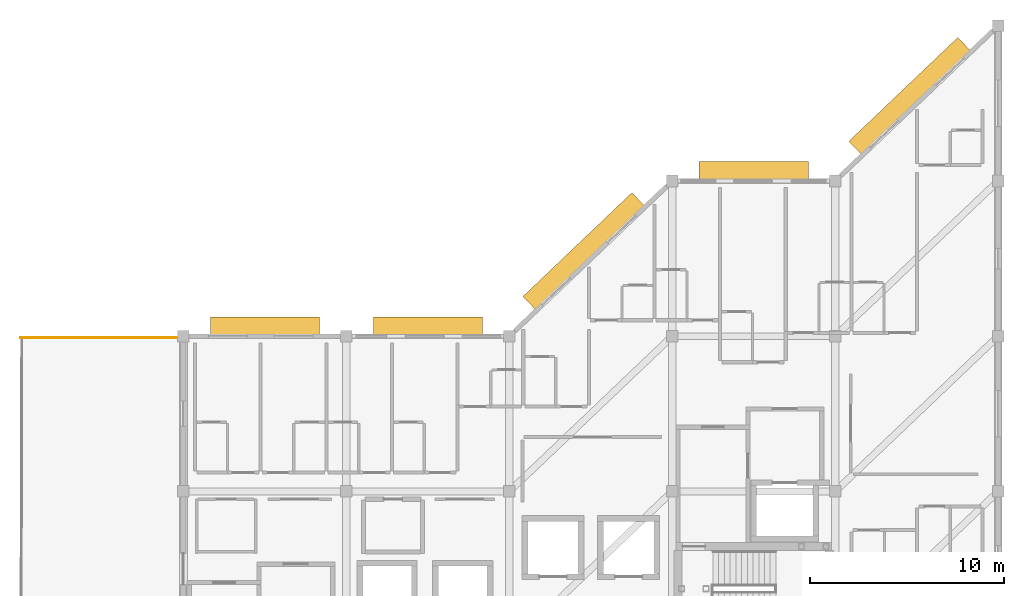
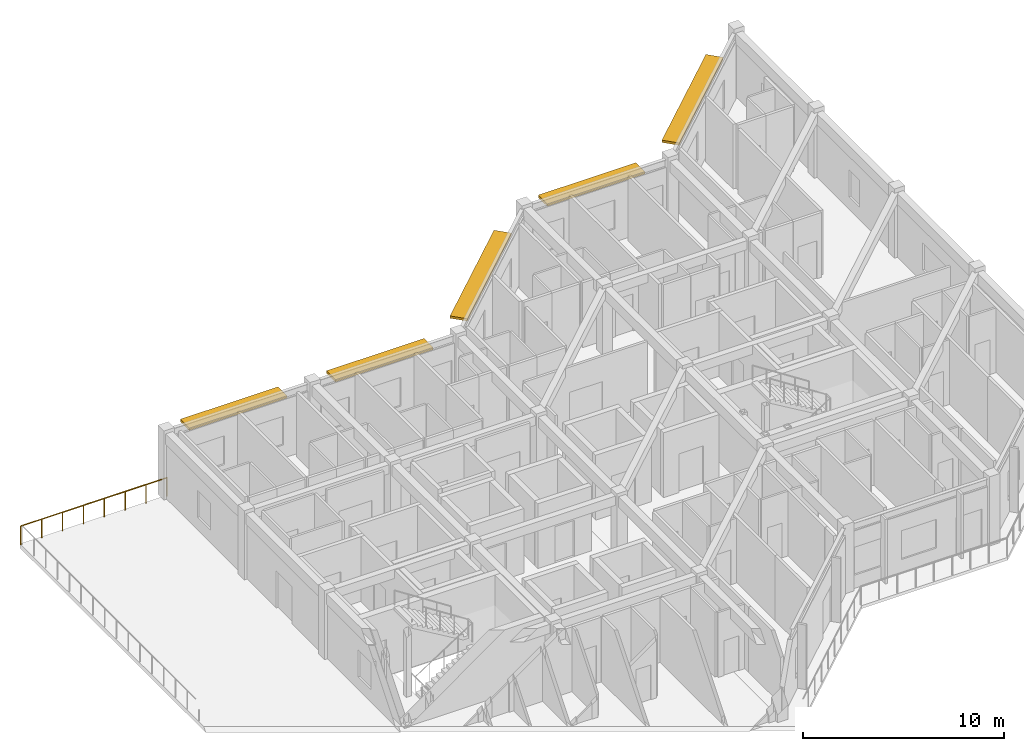
# One storey, part 13 of 13: 5 shading devices, 1 railing.
"""IFC4 building model written with IfcOpenShell, lengths in metres."""

from ifc_helpers import new_model, si_unit, direction, frame, origin, origin_2d, place, context, subcontext, project, spatial, rectangle, circle, extrude, material, layer, layer_set, type_object, element, save


model = new_model("IFC4")

# Units and contexts
model_context = context("Model", 3, precision=1e-05, world=origin(), true_north=direction((0.0, 1.0)))
body_context = subcontext(model_context, "Body", "Model", "MODEL_VIEW")
ifc_project = project(units=[si_unit("LENGTHUNIT", "METRE"), si_unit("AREAUNIT", "SQUARE_METRE"), si_unit("VOLUMEUNIT", "CUBIC_METRE"), si_unit("PLANEANGLEUNIT", "RADIAN"), si_unit("MASSUNIT", "GRAM", prefix="KILO")], contexts=[model_context])

# Site, building, storey
site_placement = place(None, origin())
site = spatial("IfcSite", under=ifc_project, at=site_placement, CompositionType="ELEMENT")
building_placement = place(site_placement, origin())
building = spatial("IfcBuilding", under=site, at=building_placement, Name="Naruveol Harbour Congress Hotel", CompositionType="ELEMENT")
storey_placement = place(building_placement, frame((0.0, 0.0, 43.199951171875)))
storey = spatial("IfcBuildingStorey", under=building, at=storey_placement, Name="L10", CompositionType="ELEMENT", Elevation=43.199951171875)

# Railing
ifc_material_1 = material(Name="Tempered Laminated Safety Glass & Stainless Steel", Category="steel")
ifc_layer_1 = layer(ifc_material_1, 0.06005859375)
ifc_layer_set_1 = layer_set([ifc_layer_1], Name="Tempered Laminated Safety Glass & Stainless Steel")
railing_type = type_object("IfcRailingType", Name="LAMINATED GLASS TERRACE BALUSTRADE 1150", PredefinedType="BALUSTRADE", material=ifc_layer_set_1)
railing_placement = place(storey_placement, frame((117.60009765625, 31.919921875, 0.0)))
element("IfcRailing", 1, at=railing_placement, inside=storey, type_object=railing_type, Name="L10 West Harbour Sky Terrace balustrade #137", PredefinedType="BALUSTRADE", context=body_context, shape_type="SweptSolid", body=[
    extrude(circle(Radius=0.02392578125, at=origin_2d()), frame((0.0, 0.0, 1.1259765625), z_axis=(1.0, 0.0, 0.0), x_axis=(0.0, 1.0, 0.0)), (0.0, 0.0, 1.0), 8.39990234375),
    extrude(circle(Radius=0.02099609375, at=origin_2d()), origin(), (0.0, 0.0, 1.0), 1.101806640625),
    extrude(circle(Radius=0.02099609375, at=origin_2d()), frame((1.199951171875, 0.0, 0.0)), (0.0, 0.0, 1.0), 1.101806640625),
    extrude(circle(Radius=0.02099609375, at=origin_2d()), frame((2.39990234375, 0.0, 0.0)), (0.0, 0.0, 1.0), 1.101806640625),
    extrude(circle(Radius=0.02099609375, at=origin_2d()), frame((3.599853515625, 0.0, 0.0)), (0.0, 0.0, 1.0), 1.101806640625),
    extrude(circle(Radius=0.02099609375, at=origin_2d()), frame((4.800048828125, 0.0, 0.0)), (0.0, 0.0, 1.0), 1.101806640625),
    extrude(circle(Radius=0.02099609375, at=origin_2d()), frame((6.0, 0.0, 0.0)), (0.0, 0.0, 1.0), 1.101806640625),
    extrude(circle(Radius=0.02099609375, at=origin_2d()), frame((7.199951171875, 0.0, 0.0)), (0.0, 0.0, 1.0), 1.101806640625),
    extrude(circle(Radius=0.02099609375, at=origin_2d()), frame((8.39990234375, 0.0, 0.0)), (0.0, 0.0, 1.0), 1.101806640625),
])

# Shading devices
ifc_material_2 = material(Name="Precast concrete C40/50", Category="concrete")
ifc_layer_2 = layer(ifc_material_2, 0.139892578125)
ifc_layer_set_2 = layer_set([ifc_layer_2], Name="Precast concrete C40/50")
shading_device_type = type_object("IfcShadingDeviceType", Name="PRECAST COBOGO PERFORATED SUNSHADE CANOPY", PredefinedType="AWNING", material=ifc_layer_set_2)
for number, where, z_axis, x_axis, name in (
    (2, (130.199951171875, 32.550048828125, 3.39990234375), (0.0, 0.0, 1.0), (1.0, 0.0, 0.0), "Precast cobogo sunshade CB-A900 #108"),
    (3, (138.60009765625, 32.550048828125, 3.39990234375), (0.0, 0.0, 1.0), (1.0, 0.0, 0.0), "Precast cobogo sunshade CB-A900 #111"),
):
    element("IfcShadingDevice", number, at=place(storey_placement, frame(where, z_axis=z_axis, x_axis=x_axis)), inside=storey, type_object=shading_device_type, Name=name, PredefinedType="AWNING", context=body_context, shape_type="SweptSolid", body=[
        extrude(rectangle(XDim=5.6201171875, YDim=0.89990234375, at=origin_2d()), origin(), (0.0, 0.0, 1.0), 0.139892578125),
    ])
shading_device_1_placement = place(storey_placement, frame((146.62109375, 36.39794921875, 3.39990234375), z_axis=(0.0, 0.0, 1.0), x_axis=(0.724171861437, 0.689619543736, 0.0)))
element("IfcShadingDevice", 4, at=shading_device_1_placement, inside=storey, type_object=shading_device_type, Name="Precast cobogo sunshade CB-A900 #114", PredefinedType="AWNING", context=body_context, shape_type="SweptSolid", body=[
    extrude(rectangle(XDim=7.760009765625, YDim=0.89990234375, at=origin_2d()), origin(), (0.0, 0.0, 1.0), 0.139892578125),
])
shading_device_2_placement = place(storey_placement, frame((155.39990234375, 40.550048828125, 3.35009765625), z_axis=(0.0, 0.0, 1.0), x_axis=(1.0, 0.0, 0.0)))
element("IfcShadingDevice", 5, at=shading_device_2_placement, inside=storey, type_object=shading_device_type, Name="Precast cobogo sunshade CB-A900 #117", PredefinedType="AWNING", context=body_context, shape_type="SweptSolid", body=[
    extrude(rectangle(XDim=5.6201171875, YDim=0.89990234375, at=origin_2d()), origin(), (0.0, 0.0, 1.0), 0.139892578125),
])
shading_device_3_placement = place(storey_placement, frame((163.4208984375, 44.39794921875, 3.35009765625), z_axis=(0.0, 0.0, 1.0), x_axis=(0.724171861437, 0.689619543736, 0.0)))
element("IfcShadingDevice", 6, at=shading_device_3_placement, inside=storey, type_object=shading_device_type, Name="Precast cobogo sunshade CB-A900 #120", PredefinedType="AWNING", context=body_context, shape_type="SweptSolid", body=[
    extrude(rectangle(XDim=7.760009765625, YDim=0.89990234375, at=origin_2d()), origin(), (0.0, 0.0, 1.0), 0.139892578125),
])

save(model, "model.ifc")
